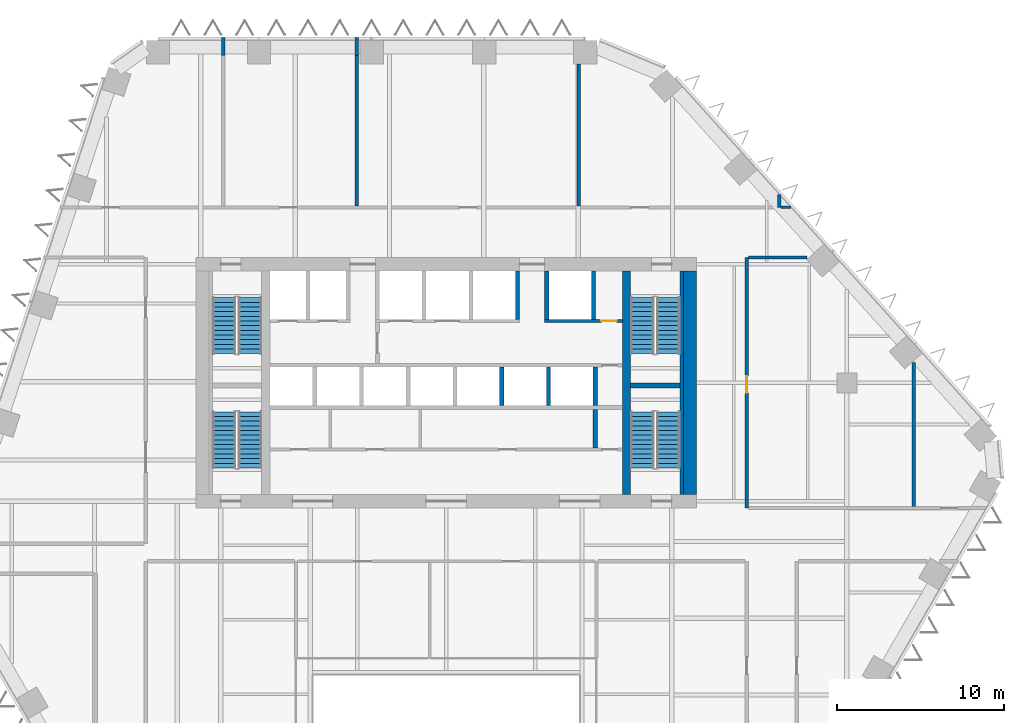
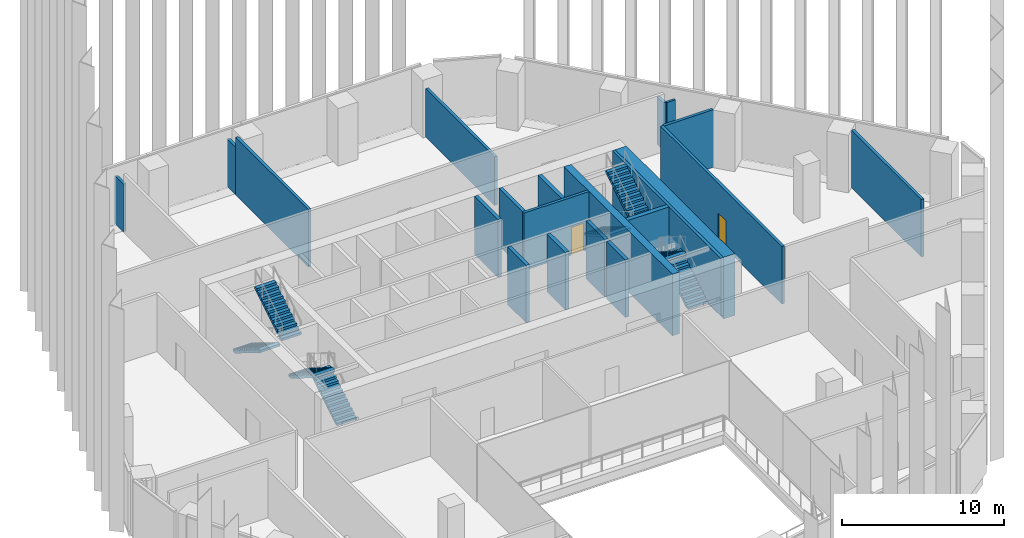
# One storey, part 13 of 18: 21 walls, 8 stair flights, 2 doors, 2 openings, 4 elements without a shape of their own.
"""IFC4 building model written with IfcOpenShell, lengths in metres."""

from ifc_helpers import new_model, si_unit, direction, frame, frame_2d, origin, place, context, subcontext, project, spatial, polyline, rectangle, outline, extrude, material, layer, layer_set, type_object, element, fill, aggregate, save


model = new_model("IFC4")

# Units and contexts
model_context = context("Model", 3, precision=1e-05, world=origin(), true_north=direction((0.0, 1.0)))
body_context = subcontext(model_context, "Body", "Model", "MODEL_VIEW")
ifc_project = project(units=[si_unit("LENGTHUNIT", "METRE"), si_unit("AREAUNIT", "SQUARE_METRE"), si_unit("VOLUMEUNIT", "CUBIC_METRE"), si_unit("PLANEANGLEUNIT", "RADIAN"), si_unit("MASSUNIT", "GRAM", prefix="KILO")], contexts=[model_context])

# Site, building, storey
site_placement = place(None, origin())
site = spatial("IfcSite", under=ifc_project, at=site_placement, CompositionType="ELEMENT")
building_placement = place(site_placement, origin())
building = spatial("IfcBuilding", under=site, at=building_placement, Name="Isthmus Gate Tower", CompositionType="ELEMENT")
storey_placement = place(building_placement, frame((0.0, 0.0, 166.300048828125)))
storey = spatial("IfcBuildingStorey", under=building, at=storey_placement, Name="L41", CompositionType="ELEMENT", Elevation=166.300048828125)

# Walls
ifc_material_1 = material(Name="Concrete f'c 30 MPa", Category="concrete")
ifc_layer_1 = layer(ifc_material_1, 0.199951171875)
ifc_layer_set_1 = layer_set([ifc_layer_1], Name="Fire-rated block wall 200")
wall_type_1 = type_object("IfcWallType", Name="Fire-rated block wall 200", PredefinedType="PARTITIONING", material=ifc_layer_set_1)
wall_1_placement = place(storey_placement, frame((18.10009765625, 15.0, 0.0), z_axis=(0.0, 0.0, 1.0), x_axis=(1.0, 0.0, 0.0)))
element("IfcWall", 1, at=wall_1_placement, inside=storey, type_object=wall_type_1, Name="Fire-rated wall", PredefinedType="PARTITIONING", context=body_context, shape_type="SweptSolid", body=[
    extrude(rectangle(XDim=3.52001953125, YDim=0.199951171875, at=frame_2d((1.760009765625, 0.0))), origin(), (0.0, 0.0, 1.0), 4.349853515625),
])
wall_2_placement = place(storey_placement, frame((-13.35009765625, 27.10009765625, 0.0), z_axis=(0.0, 0.0, 1.0), x_axis=(0.0, 1.0, 0.0)))
element("IfcWall", 2, at=wall_2_placement, inside=storey, type_object=wall_type_1, Name="Fire-rated wall", PredefinedType="PARTITIONING", context=body_context, shape_type="SweptSolid", body=[
    extrude(rectangle(XDim=1.06982421875, YDim=0.199951171875, at=frame_2d((0.534912109375, 0.0))), origin(), (0.0, 0.0, 1.0), 3.599853515625),
])
wall_3_placement = place(storey_placement, frame((-5.35009765625, 18.10009765625, 0.0), z_axis=(0.0, 0.0, 1.0), x_axis=(0.0, 1.0, 0.0)))
element("IfcWall", 3, at=wall_3_placement, inside=storey, type_object=wall_type_1, Name="Fire-rated wall", PredefinedType="PARTITIONING", context=body_context, shape_type="SweptSolid", body=[
    extrude(rectangle(XDim=9.0, YDim=0.199951171875, at=frame_2d((4.5, 0.0))), origin(), (0.0, 0.0, 1.0), 4.349853515625),
])
wall_4_placement = place(storey_placement, frame((-5.35009765625, 27.10009765625, 0.0), z_axis=(0.0, 0.0, 1.0), x_axis=(0.0, 1.0, 0.0)))
element("IfcWall", 4, at=wall_4_placement, inside=storey, type_object=wall_type_1, Name="Fire-rated wall", PredefinedType="PARTITIONING", context=body_context, shape_type="SweptSolid", body=[
    extrude(rectangle(XDim=1.06982421875, YDim=0.199951171875, at=frame_2d((0.534912109375, 0.0))), origin(), (0.0, 0.0, 1.0), 3.599853515625),
])
wall_5_placement = place(storey_placement, frame((7.93994140625, 18.10009765625, 0.0), z_axis=(0.0, 0.0, 1.0), x_axis=(0.0, 1.0, 0.0)))
element("IfcWall", 5, at=wall_5_placement, inside=storey, type_object=wall_type_1, Name="Fire-rated wall", PredefinedType="PARTITIONING", context=body_context, shape_type="SweptSolid", body=[
    extrude(rectangle(XDim=8.5, YDim=0.199951171875, at=frame_2d((4.25, 0.0))), origin(), (0.0, 0.0, 1.0), 3.670654296875),
])

# Wall, opening, door
wall_6_placement = place(storey_placement, frame((18.0, 0.0, 0.0), z_axis=(0.0, 0.0, 1.0), x_axis=(0.0, 1.0, 0.0)))
wall_6 = element("IfcWall", 6, at=wall_6_placement, inside=storey, type_object=wall_type_1, Name="Fire-rated wall", PredefinedType="PARTITIONING", context=body_context, shape_type="SweptSolid", body=[
    extrude(rectangle(XDim=15.0, YDim=0.199951171875, at=frame_2d((7.5, 0.0))), origin(), (0.0, 0.0, 1.0), 4.349853515625),
])
opening_1_placement = place(wall_6_placement, frame((6.89990234375, 0.0, 0.0)))
opening_1 = element("IfcOpeningElement", 7, at=opening_1_placement, cuts=wall_6, Name="Opening DP41-07", PredefinedType="OPENING", context=body_context, shape_type="SweptSolid", body=[
    extrude(rectangle(XDim=1.0, YDim=2.10009765625, at=frame_2d((0.5, 1.050048828125))), frame((0.0, 0.10986328125, 0.0), z_axis=(0.0, -1.0, 0.0), x_axis=(1.0, 0.0, 0.0)), (0.0, 0.0, 1.0), 0.219970703125),
])
ifc_material_2 = material(Name="Steel fire door with intumescent seals", Category="steel")
door_type_1 = type_object("IfcDoorType", Name="Fire door 1000 x 2100", OperationType="SINGLE_SWING_LEFT", PredefinedType="DOOR", material=ifc_material_2)
door_1_placement = place(opening_1_placement, origin())
door_1 = element("IfcDoor", 8, at=door_1_placement, inside=storey, type_object=door_type_1, Name="Door DP41-07", OperationType="SINGLE_SWING_LEFT", OverallHeight=2.10009765625, OverallWidth=1.0, PredefinedType="DOOR", context=body_context, shape_type="SweptSolid", body=[
    extrude(rectangle(XDim=1.0, YDim=2.10009765625, at=frame_2d((0.5, 1.050048828125))), frame((0.0, 0.02490234375, 0.0), z_axis=(0.0, -1.0, 0.0), x_axis=(1.0, 0.0, 0.0)), (0.0, 0.0, 1.0), 0.050048828125),
])
fill(opening_1, door_1)

# Walls
wall_7_placement = place(storey_placement, frame((19.93994140625, 18.0009765625, 0.0), z_axis=(0.0, 0.0, 1.0), x_axis=(0.0, 1.0, 0.0)))
element("IfcWall", 9, at=wall_7_placement, inside=storey, type_object=wall_type_1, Name="Fire-rated wall", PredefinedType="PARTITIONING", context=body_context, shape_type="SweptSolid", body=[
    extrude(rectangle(XDim=0.784423828125, YDim=0.199951171875, at=frame_2d((0.39208984375, 0.0))), origin(), (0.0, 0.0, 1.0), 3.599853515625),
])
wall_8_placement = place(storey_placement, frame((28.0, 0.10009765625, 0.0), z_axis=(0.0, 0.0, 1.0), x_axis=(0.0, 1.0, 0.0)))
element("IfcWall", 10, at=wall_8_placement, inside=storey, type_object=wall_type_1, Name="Fire-rated wall", PredefinedType="PARTITIONING", context=body_context, shape_type="SweptSolid", body=[
    extrude(rectangle(XDim=8.625244140625, YDim=0.199951171875, at=frame_2d((4.3125, 0.0))), origin(), (0.0, 0.0, 1.0), 4.349853515625),
])
ifc_material_3 = material(Name="Gypsum board on cold-formed steel studs", Category="steel")
ifc_layer_2 = layer(ifc_material_3, 0.14990234375)
ifc_layer_set_2 = layer_set([ifc_layer_2])
wall_type_2 = type_object("IfcWallType", Name="Partition 150 gypsum board on steel studs", PredefinedType="PARTITIONING", material=ifc_layer_set_2)
wall_9_placement = place(storey_placement, frame((20.0400390625, 18.0, 0.0), z_axis=(0.0, 0.0, 1.0), x_axis=(1.0, 0.0, 0.0)))
element("IfcWall", 11, at=wall_9_placement, inside=storey, type_object=wall_type_2, Name="Partition", PredefinedType="PARTITIONING", context=body_context, shape_type="SweptSolid", body=[
    extrude(rectangle(XDim=0.607177734375, YDim=0.14990234375, at=frame_2d((0.3037109375, 0.0))), origin(), (0.0, 0.0, 1.0), 3.599853515625),
])
ifc_material_4 = material(Name="Concrete f'c 60 MPa", Category="concrete")
ifc_layer_3 = layer(ifc_material_4, 0.5)
ifc_layer_set_3 = layer_set([ifc_layer_3], Name="RC CORE SPINE WALL 500 F'C 60")
wall_type_3 = type_object("IfcWallType", Name="RC CORE SPINE WALL 500 F'C 60", PredefinedType="SOLIDWALL", material=ifc_layer_set_3)
wall_10_placement = place(storey_placement, frame((10.800048828125, 0.800048828125, -0.300048828125), z_axis=(0.0, 0.0, 1.0), x_axis=(0.0, 1.0, 0.0)))
element("IfcWall", 12, at=wall_10_placement, inside=storey, type_object=wall_type_3, Name="str-corewall-L41-SPE", PredefinedType="SOLIDWALL", context=body_context, shape_type="SweptSolid", body=[
    extrude(rectangle(XDim=13.39990234375, YDim=0.5, at=frame_2d((6.699951171875, 0.0))), origin(), (0.0, 0.0, 1.0), 4.64990234375),
])
ifc_material_5 = material(Name="Concrete f'c 60 MPa", Category="concrete")
ifc_layer_4 = layer(ifc_material_5, 0.800048828125)
ifc_layer_set_4 = layer_set([ifc_layer_4], Name="RC CORE WALL 800 F'C 60")
wall_type_4 = type_object("IfcWallType", Name="RC CORE WALL 800 F'C 60", PredefinedType="SOLIDWALL", material=ifc_layer_set_4)
wall_11_placement = place(storey_placement, frame((14.60009765625, 0.800048828125, -0.300048828125), z_axis=(0.0, 0.0, 1.0), x_axis=(0.0, 1.0, 0.0)))
element("IfcWall", 13, at=wall_11_placement, inside=storey, type_object=wall_type_4, Name="str-corewall-L41-E", PredefinedType="SOLIDWALL", context=body_context, shape_type="SweptSolid", body=[
    extrude(rectangle(XDim=13.39990234375, YDim=0.800048828125, at=frame_2d((6.699951171875, 0.0))), origin(), (0.0, 0.0, 1.0), 4.64990234375),
])

# Wall, opening, door
ifc_material_6 = material(Name="Fire-rated blockwork masonry, 15 MPa", Category="masonry")
ifc_layer_5 = layer(ifc_material_6, 0.199951171875)
ifc_layer_set_5 = layer_set([ifc_layer_5], Name="SHAFT FRONT WALL 200 120 MIN")
wall_type_5 = type_object("IfcWallType", Name="SHAFT FRONT WALL 200 120 MIN", PredefinedType="PARTITIONING", material=ifc_layer_set_5)
wall_12_placement = place(storey_placement, frame((5.89990234375, 11.199951171875, 0.0), z_axis=(0.0, 0.0, 1.0), x_axis=(1.0, 0.0, 0.0)))
wall_12 = element("IfcWall", 14, at=wall_12_placement, inside=storey, type_object=wall_type_5, Name="L41 SHAFT FRONT WALL 200 120 MIN", PredefinedType="PARTITIONING", context=body_context, shape_type="SweptSolid", body=[
    extrude(rectangle(XDim=4.650146484375, YDim=0.199951171875, at=frame_2d((2.3251953125, 0.0))), origin(), (0.0, 0.0, 1.0), 4.349853515625),
])
opening_2_placement = place(wall_12_placement, frame((3.39990234375, 0.0, 0.0)))
opening_2 = element("IfcOpeningElement", 15, at=opening_2_placement, cuts=wall_12, Name="Opening DC-A14-07", PredefinedType="OPENING", context=body_context, shape_type="SweptSolid", body=[
    extrude(rectangle(XDim=0.89990234375, YDim=2.10009765625, at=frame_2d((0.449951171875, 1.050048828125))), frame((0.0, 0.10986328125, 0.0), z_axis=(0.0, -1.0, 0.0), x_axis=(1.0, 0.0, 0.0)), (0.0, 0.0, 1.0), 0.219970703125),
])
ifc_material_7 = material(Name="Steel door leaf, fire-rated", Category="steel")
door_type_2 = type_object("IfcDoorType", Name="RISER FIRE DOOR 900 X 2100 90 MIN", OperationType="SINGLE_SWING_LEFT", PredefinedType="DOOR", material=ifc_material_7)
door_2_placement = place(opening_2_placement, origin())
door_2 = element("IfcDoor", 16, at=door_2_placement, inside=storey, type_object=door_type_2, Name="Riser Door", OperationType="SINGLE_SWING_LEFT", OverallHeight=2.10009765625, OverallWidth=0.89990234375, PredefinedType="DOOR", context=body_context, shape_type="SweptSolid", body=[
    extrude(rectangle(XDim=0.89990234375, YDim=2.10009765625, at=frame_2d((0.449951171875, 1.050048828125))), frame((0.0, 0.02490234375, 0.0), z_axis=(0.0, -1.0, 0.0), x_axis=(1.0, 0.0, 0.0)), (0.0, 0.0, 1.0), 0.050048828125),
])
fill(opening_2, door_2)

# Walls
ifc_material_8 = material(Name="Fire-rated blockwork masonry, 15 MPa", Category="masonry")
ifc_layer_6 = layer(ifc_material_8, 0.25)
ifc_layer_set_6 = layer_set([ifc_layer_6], Name="SHAFT WALL 250 120 MIN")
wall_type_6 = type_object("IfcWallType", Name="SHAFT WALL 250 120 MIN", PredefinedType="PARTITIONING", material=ifc_layer_set_6)
wall_13_placement = place(storey_placement, frame((8.925048828125, 3.60009765625, 0.0), z_axis=(0.0, 0.0, 1.0), x_axis=(0.0, 1.0, 0.0)))
element("IfcWall", 17, at=wall_13_placement, inside=storey, type_object=wall_type_6, Name="L41 SHAFT WALL 250 120 MIN", PredefinedType="PARTITIONING", context=body_context, shape_type="SweptSolid", body=[
    extrude(rectangle(XDim=2.2998046875, YDim=0.25, at=frame_2d((1.14990234375, 0.0))), origin(), (0.0, 0.0, 1.0), 4.349853515625),
])
for number, where, z_axis, x_axis, name in (
    (18, (3.324951171875, 6.14990234375, 0.0), (0.0, 0.0, 1.0), (0.0, 1.0, 0.0), "L41 SHAFT WALL 250 120 MIN"),
    (19, (6.125, 6.14990234375, 0.0), (0.0, 0.0, 1.0), (0.0, 1.0, 0.0), "L41 SHAFT WALL 250 120 MIN"),
    (20, (8.925048828125, 6.14990234375, 0.0), (0.0, 0.0, 1.0), (0.0, 1.0, 0.0), "L41 SHAFT WALL 250 120 MIN"),
):
    element("IfcWall", number, at=place(storey_placement, frame(where, z_axis=z_axis, x_axis=x_axis)), inside=storey, type_object=wall_type_6, Name=name, PredefinedType="PARTITIONING", context=body_context, shape_type="SweptSolid", body=[
        extrude(rectangle(XDim=2.300048828125, YDim=0.25, at=frame_2d((1.14990234375, 0.0))), origin(), (0.0, 0.0, 1.0), 4.349853515625),
    ])
for number, where, z_axis, x_axis, name in (
    (21, (4.27490234375, 11.300048828125, 0.0), (0.0, 0.0, 1.0), (0.0, 1.0, 0.0), "L41 SHAFT WALL 250 120 MIN"),
    (22, (6.02490234375, 11.300048828125, 0.0), (0.0, 0.0, 1.0), (0.0, 1.0, 0.0), "L41 SHAFT WALL 250 120 MIN"),
    (23, (8.824951171875, 11.300048828125, 0.0), (0.0, 0.0, 1.0), (0.0, 1.0, 0.0), "L41 SHAFT WALL 250 120 MIN"),
):
    element("IfcWall", number, at=place(storey_placement, frame(where, z_axis=z_axis, x_axis=x_axis)), inside=storey, type_object=wall_type_6, Name=name, PredefinedType="PARTITIONING", context=body_context, shape_type="SweptSolid", body=[
        extrude(rectangle(XDim=2.89990234375, YDim=0.25, at=frame_2d((1.449951171875, 0.0))), origin(), (0.0, 0.0, 1.0), 4.349853515625),
    ])
ifc_material_9 = material(Name="Concrete f'c 40 MPa", Category="concrete")
ifc_layer_7 = layer(ifc_material_9, 0.199951171875)
ifc_layer_set_7 = layer_set([ifc_layer_7], Name="STAIR ENCLOSURE WALL 200 180 MIN")
wall_type_7 = type_object("IfcWallType", Name="STAIR ENCLOSURE WALL 200 180 MIN", PredefinedType="SOLIDWALL", material=ifc_layer_set_7)
wall_14_placement = place(storey_placement, frame((14.10009765625, 0.800048828125, 0.0), z_axis=(0.0, 0.0, 1.0), x_axis=(0.0, 1.0, 0.0)))
element("IfcWall", 24, at=wall_14_placement, inside=storey, type_object=wall_type_7, Name="L41 STAIR ENCLOSURE WALL 200 180 MIN", PredefinedType="SOLIDWALL", context=body_context, shape_type="SweptSolid", body=[
    extrude(rectangle(XDim=13.39990234375, YDim=0.199951171875, at=frame_2d((6.699951171875, 0.0))), origin(), (0.0, 0.0, 1.0), 4.349853515625),
])
ifc_material_10 = material(Name="Concrete f'c 40 MPa", Category="concrete")
ifc_layer_8 = layer(ifc_material_10, 0.300048828125)
ifc_layer_set_8 = layer_set([ifc_layer_8], Name="STAIR ENCLOSURE WALL 300 180 MIN")
wall_type_8 = type_object("IfcWallType", Name="STAIR ENCLOSURE WALL 300 180 MIN", PredefinedType="SOLIDWALL", material=ifc_layer_set_8)
wall_15_placement = place(storey_placement, frame((11.050048828125, 7.35009765625, 0.0), z_axis=(0.0, 0.0, 1.0), x_axis=(1.0, 0.0, 0.0)))
element("IfcWall", 25, at=wall_15_placement, inside=storey, type_object=wall_type_8, Name="L41 STAIR ENCLOSURE WALL 300 180 MIN", PredefinedType="SOLIDWALL", context=body_context, shape_type="SweptSolid", body=[
    extrude(rectangle(XDim=2.949951171875, YDim=0.300048828125, at=frame_2d((1.47509765625, 0.0))), origin(), (0.0, 0.0, 1.0), 4.349853515625),
])

# Stair, stair flights
ifc_material_11 = material(Name="Concrete f'c 40 MPa", Category="concrete")
stair_type = type_object("IfcStairType", Name="CORE STAIR 26 RISERS", PredefinedType="HALF_TURN_STAIR", material=ifc_material_11)
stair_1_placement = place(storey_placement, origin())
stair_1 = element("IfcStair", 26, at=stair_1_placement, inside=storey, type_object=stair_type, Name="L41 Exit Stair 1", PredefinedType="HALF_TURN_STAIR")
ifc_material_12 = material(Name="Concrete f'c 40 MPa", Category="concrete")
stair_flight_type = type_object("IfcStairFlightType", Name="STAIR FLIGHT RC 1400", PredefinedType="STRAIGHT", material=ifc_material_12)
stair_flight_1_placement = place(storey_placement, frame((-13.300048828125, 12.60009765625, 0.0), z_axis=(0.0, 0.0, 1.0), x_axis=(0.0, -1.0, 0.0)))
stair_flight_1 = element("IfcStairFlight", 27, at=stair_flight_1_placement, type_object=stair_flight_type, Name="ST1 flight 1", NumberOfRisers=13, NumberOfTreads=12, PredefinedType="STRAIGHT", RiserHeight=0.173076923, TreadLength=0.28, context=body_context, shape_type="SweptSolid", body=[
    extrude(outline(polyline([(0.0, 0.0), (0.0, 0.173095703125), (0.280029296875, 0.173095703125), (0.280029296875, 0.34619140625), (0.56005859375, 0.34619140625), (0.56005859375, 0.519287109375), (0.840087890625, 0.519287109375), (0.840087890625, 0.6923828125), (1.1201171875, 0.6923828125), (1.1201171875, 0.865478515625), (1.39990234375, 0.865478515625), (1.39990234375, 1.03857421875), (1.679931640625, 1.03857421875), (1.679931640625, 1.21142578125), (1.9599609375, 1.21142578125), (1.9599609375, 1.384521484375), (2.239990234375, 1.384521484375), (2.239990234375, 1.5576171875), (2.52001953125, 1.5576171875), (2.52001953125, 1.730712890625), (2.800048828125, 1.730712890625), (2.800048828125, 1.90380859375), (3.080078125, 1.90380859375), (3.080078125, 2.076904296875), (3.360107421875, 2.076904296875), (3.360107421875, 2.25), (3.360107421875, 1.900634765625), (0.28515625, 0.0), (0.0, 0.0)])), frame((0.0, 0.699951171875, 0.0), z_axis=(0.0, -1.0, 0.0), x_axis=(1.0, 0.0, 0.0)), (0.0, 0.0, 1.0), 1.39990234375),
])
stair_flight_2_placement = place(storey_placement, frame((-11.75, 9.239990234375, 2.25), z_axis=(0.0, 0.0, 1.0), x_axis=(0.0, 1.0, 0.0)))
stair_flight_2 = element("IfcStairFlight", 28, at=stair_flight_2_placement, type_object=stair_flight_type, Name="ST1 flight 2", NumberOfRisers=13, NumberOfTreads=12, PredefinedType="STRAIGHT", RiserHeight=0.173076923, TreadLength=0.28, context=body_context, shape_type="SweptSolid", body=[
    extrude(outline(polyline([(0.0, 0.0), (0.0, 0.173095703125), (0.280029296875, 0.173095703125), (0.280029296875, 0.34619140625), (0.56005859375, 0.34619140625), (0.56005859375, 0.519287109375), (0.840087890625, 0.519287109375), (0.840087890625, 0.6923828125), (1.1201171875, 0.6923828125), (1.1201171875, 0.865478515625), (1.39990234375, 0.865478515625), (1.39990234375, 1.03857421875), (1.679931640625, 1.03857421875), (1.679931640625, 1.21142578125), (1.9599609375, 1.21142578125), (1.9599609375, 1.384521484375), (2.239990234375, 1.384521484375), (2.239990234375, 1.5576171875), (2.52001953125, 1.5576171875), (2.52001953125, 1.730712890625), (2.800048828125, 1.730712890625), (2.800048828125, 1.90380859375), (3.080078125, 1.90380859375), (3.080078125, 2.076904296875), (3.360107421875, 2.076904296875), (3.360107421875, 2.25), (3.360107421875, 1.900634765625), (0.28515625, 0.0), (0.0, 0.0)])), frame((0.0, 0.699951171875, 0.0), z_axis=(0.0, -1.0, 0.0), x_axis=(1.0, 0.0, 0.0)), (0.0, 0.0, 1.0), 1.39990234375),
])
aggregate(stair_1, [stair_flight_1, stair_flight_2])

stair_2_placement = place(storey_placement, origin())
stair_2 = element("IfcStair", 29, at=stair_2_placement, inside=storey, type_object=stair_type, Name="L41 Exit Stair 2", PredefinedType="HALF_TURN_STAIR")
stair_flight_3_placement = place(storey_placement, frame((11.75, 12.60009765625, 0.0), z_axis=(0.0, 0.0, 1.0), x_axis=(0.0, -1.0, 0.0)))
stair_flight_3 = element("IfcStairFlight", 30, at=stair_flight_3_placement, type_object=stair_flight_type, Name="ST2 flight 1", NumberOfRisers=13, NumberOfTreads=12, PredefinedType="STRAIGHT", RiserHeight=0.173076923, TreadLength=0.28, context=body_context, shape_type="SweptSolid", body=[
    extrude(outline(polyline([(0.0, 0.0), (0.0, 0.173095703125), (0.280029296875, 0.173095703125), (0.280029296875, 0.34619140625), (0.56005859375, 0.34619140625), (0.56005859375, 0.519287109375), (0.840087890625, 0.519287109375), (0.840087890625, 0.6923828125), (1.1201171875, 0.6923828125), (1.1201171875, 0.865478515625), (1.39990234375, 0.865478515625), (1.39990234375, 1.03857421875), (1.679931640625, 1.03857421875), (1.679931640625, 1.21142578125), (1.9599609375, 1.21142578125), (1.9599609375, 1.384521484375), (2.239990234375, 1.384521484375), (2.239990234375, 1.5576171875), (2.52001953125, 1.5576171875), (2.52001953125, 1.730712890625), (2.800048828125, 1.730712890625), (2.800048828125, 1.90380859375), (3.080078125, 1.90380859375), (3.080078125, 2.076904296875), (3.360107421875, 2.076904296875), (3.360107421875, 2.25), (3.360107421875, 1.900634765625), (0.28515625, 0.0), (0.0, 0.0)])), frame((0.0, 0.699951171875, 0.0), z_axis=(0.0, -1.0, 0.0), x_axis=(1.0, 0.0, 0.0)), (0.0, 0.0, 1.0), 1.39990234375),
])
stair_flight_4_placement = place(storey_placement, frame((13.300048828125, 9.239990234375, 2.25), z_axis=(0.0, 0.0, 1.0), x_axis=(0.0, 1.0, 0.0)))
stair_flight_4 = element("IfcStairFlight", 31, at=stair_flight_4_placement, type_object=stair_flight_type, Name="ST2 flight 2", NumberOfRisers=13, NumberOfTreads=12, PredefinedType="STRAIGHT", RiserHeight=0.173076923, TreadLength=0.28, context=body_context, shape_type="SweptSolid", body=[
    extrude(outline(polyline([(0.0, 0.0), (0.0, 0.173095703125), (0.280029296875, 0.173095703125), (0.280029296875, 0.34619140625), (0.56005859375, 0.34619140625), (0.56005859375, 0.519287109375), (0.840087890625, 0.519287109375), (0.840087890625, 0.6923828125), (1.1201171875, 0.6923828125), (1.1201171875, 0.865478515625), (1.39990234375, 0.865478515625), (1.39990234375, 1.03857421875), (1.679931640625, 1.03857421875), (1.679931640625, 1.21142578125), (1.9599609375, 1.21142578125), (1.9599609375, 1.384521484375), (2.239990234375, 1.384521484375), (2.239990234375, 1.5576171875), (2.52001953125, 1.5576171875), (2.52001953125, 1.730712890625), (2.800048828125, 1.730712890625), (2.800048828125, 1.90380859375), (3.080078125, 1.90380859375), (3.080078125, 2.076904296875), (3.360107421875, 2.076904296875), (3.360107421875, 2.25), (3.360107421875, 1.900634765625), (0.28515625, 0.0), (0.0, 0.0)])), frame((0.0, 0.699951171875, 0.0), z_axis=(0.0, -1.0, 0.0), x_axis=(1.0, 0.0, 0.0)), (0.0, 0.0, 1.0), 1.39990234375),
])
aggregate(stair_2, [stair_flight_3, stair_flight_4])

stair_3_placement = place(storey_placement, origin())
stair_3 = element("IfcStair", 32, at=stair_3_placement, inside=storey, type_object=stair_type, Name="L41 Exit Stair 7", PredefinedType="HALF_TURN_STAIR")
stair_flight_5_placement = place(storey_placement, frame((-11.75, 2.39990234375, 0.0), z_axis=(0.0, 0.0, 1.0), x_axis=(0.0, 1.0, 0.0)))
stair_flight_5 = element("IfcStairFlight", 33, at=stair_flight_5_placement, type_object=stair_flight_type, Name="ST7 flight 1", NumberOfRisers=13, NumberOfTreads=12, PredefinedType="STRAIGHT", RiserHeight=0.173076923, TreadLength=0.28, context=body_context, shape_type="SweptSolid", body=[
    extrude(outline(polyline([(0.0, 0.0), (0.0, 0.173095703125), (0.280029296875, 0.173095703125), (0.280029296875, 0.34619140625), (0.56005859375, 0.34619140625), (0.56005859375, 0.519287109375), (0.840087890625, 0.519287109375), (0.840087890625, 0.6923828125), (1.1201171875, 0.6923828125), (1.1201171875, 0.865478515625), (1.39990234375, 0.865478515625), (1.39990234375, 1.03857421875), (1.679931640625, 1.03857421875), (1.679931640625, 1.21142578125), (1.9599609375, 1.21142578125), (1.9599609375, 1.384521484375), (2.239990234375, 1.384521484375), (2.239990234375, 1.5576171875), (2.52001953125, 1.5576171875), (2.52001953125, 1.730712890625), (2.800048828125, 1.730712890625), (2.800048828125, 1.90380859375), (3.080078125, 1.90380859375), (3.080078125, 2.076904296875), (3.360107421875, 2.076904296875), (3.360107421875, 2.25), (3.360107421875, 1.900634765625), (0.28515625, 0.0), (0.0, 0.0)])), frame((0.0, 0.699951171875, 0.0), z_axis=(0.0, -1.0, 0.0), x_axis=(1.0, 0.0, 0.0)), (0.0, 0.0, 1.0), 1.39990234375),
])
stair_flight_6_placement = place(storey_placement, frame((-13.300048828125, 5.760009765625, 2.25), z_axis=(0.0, 0.0, 1.0), x_axis=(0.0, -1.0, 0.0)))
stair_flight_6 = element("IfcStairFlight", 34, at=stair_flight_6_placement, type_object=stair_flight_type, Name="ST7 flight 2", NumberOfRisers=13, NumberOfTreads=12, PredefinedType="STRAIGHT", RiserHeight=0.173076923, TreadLength=0.28, context=body_context, shape_type="SweptSolid", body=[
    extrude(outline(polyline([(0.0, 0.0), (0.0, 0.173095703125), (0.280029296875, 0.173095703125), (0.280029296875, 0.34619140625), (0.56005859375, 0.34619140625), (0.56005859375, 0.519287109375), (0.840087890625, 0.519287109375), (0.840087890625, 0.6923828125), (1.1201171875, 0.6923828125), (1.1201171875, 0.865478515625), (1.39990234375, 0.865478515625), (1.39990234375, 1.03857421875), (1.679931640625, 1.03857421875), (1.679931640625, 1.21142578125), (1.9599609375, 1.21142578125), (1.9599609375, 1.384521484375), (2.239990234375, 1.384521484375), (2.239990234375, 1.5576171875), (2.52001953125, 1.5576171875), (2.52001953125, 1.730712890625), (2.800048828125, 1.730712890625), (2.800048828125, 1.90380859375), (3.080078125, 1.90380859375), (3.080078125, 2.076904296875), (3.360107421875, 2.076904296875), (3.360107421875, 2.25), (3.360107421875, 1.900634765625), (0.28515625, 0.0), (0.0, 0.0)])), frame((0.0, 0.699951171875, 0.0), z_axis=(0.0, -1.0, 0.0), x_axis=(1.0, 0.0, 0.0)), (0.0, 0.0, 1.0), 1.39990234375),
])
aggregate(stair_3, [stair_flight_5, stair_flight_6])

stair_4_placement = place(storey_placement, origin())
stair_4 = element("IfcStair", 35, at=stair_4_placement, inside=storey, type_object=stair_type, Name="L41 Exit Stair 8", PredefinedType="HALF_TURN_STAIR")
stair_flight_7_placement = place(storey_placement, frame((13.300048828125, 2.39990234375, 0.0), z_axis=(0.0, 0.0, 1.0), x_axis=(0.0, 1.0, 0.0)))
stair_flight_7 = element("IfcStairFlight", 36, at=stair_flight_7_placement, type_object=stair_flight_type, Name="ST8 flight 1", NumberOfRisers=13, NumberOfTreads=12, PredefinedType="STRAIGHT", RiserHeight=0.173076923, TreadLength=0.28, context=body_context, shape_type="SweptSolid", body=[
    extrude(outline(polyline([(0.0, 0.0), (0.0, 0.173095703125), (0.280029296875, 0.173095703125), (0.280029296875, 0.34619140625), (0.56005859375, 0.34619140625), (0.56005859375, 0.519287109375), (0.840087890625, 0.519287109375), (0.840087890625, 0.6923828125), (1.1201171875, 0.6923828125), (1.1201171875, 0.865478515625), (1.39990234375, 0.865478515625), (1.39990234375, 1.03857421875), (1.679931640625, 1.03857421875), (1.679931640625, 1.21142578125), (1.9599609375, 1.21142578125), (1.9599609375, 1.384521484375), (2.239990234375, 1.384521484375), (2.239990234375, 1.5576171875), (2.52001953125, 1.5576171875), (2.52001953125, 1.730712890625), (2.800048828125, 1.730712890625), (2.800048828125, 1.90380859375), (3.080078125, 1.90380859375), (3.080078125, 2.076904296875), (3.360107421875, 2.076904296875), (3.360107421875, 2.25), (3.360107421875, 1.900634765625), (0.28515625, 0.0), (0.0, 0.0)])), frame((0.0, 0.699951171875, 0.0), z_axis=(0.0, -1.0, 0.0), x_axis=(1.0, 0.0, 0.0)), (0.0, 0.0, 1.0), 1.39990234375),
])
stair_flight_8_placement = place(storey_placement, frame((11.75, 5.760009765625, 2.25), z_axis=(0.0, 0.0, 1.0), x_axis=(0.0, -1.0, 0.0)))
stair_flight_8 = element("IfcStairFlight", 37, at=stair_flight_8_placement, type_object=stair_flight_type, Name="ST8 flight 2", NumberOfRisers=13, NumberOfTreads=12, PredefinedType="STRAIGHT", RiserHeight=0.173076923, TreadLength=0.28, context=body_context, shape_type="SweptSolid", body=[
    extrude(outline(polyline([(0.0, 0.0), (0.0, 0.173095703125), (0.280029296875, 0.173095703125), (0.280029296875, 0.34619140625), (0.56005859375, 0.34619140625), (0.56005859375, 0.519287109375), (0.840087890625, 0.519287109375), (0.840087890625, 0.6923828125), (1.1201171875, 0.6923828125), (1.1201171875, 0.865478515625), (1.39990234375, 0.865478515625), (1.39990234375, 1.03857421875), (1.679931640625, 1.03857421875), (1.679931640625, 1.21142578125), (1.9599609375, 1.21142578125), (1.9599609375, 1.384521484375), (2.239990234375, 1.384521484375), (2.239990234375, 1.5576171875), (2.52001953125, 1.5576171875), (2.52001953125, 1.730712890625), (2.800048828125, 1.730712890625), (2.800048828125, 1.90380859375), (3.080078125, 1.90380859375), (3.080078125, 2.076904296875), (3.360107421875, 2.076904296875), (3.360107421875, 2.25), (3.360107421875, 1.900634765625), (0.28515625, 0.0), (0.0, 0.0)])), frame((0.0, 0.699951171875, 0.0), z_axis=(0.0, -1.0, 0.0), x_axis=(1.0, 0.0, 0.0)), (0.0, 0.0, 1.0), 1.39990234375),
])
aggregate(stair_4, [stair_flight_7, stair_flight_8])

save(model, "model.ifc")
